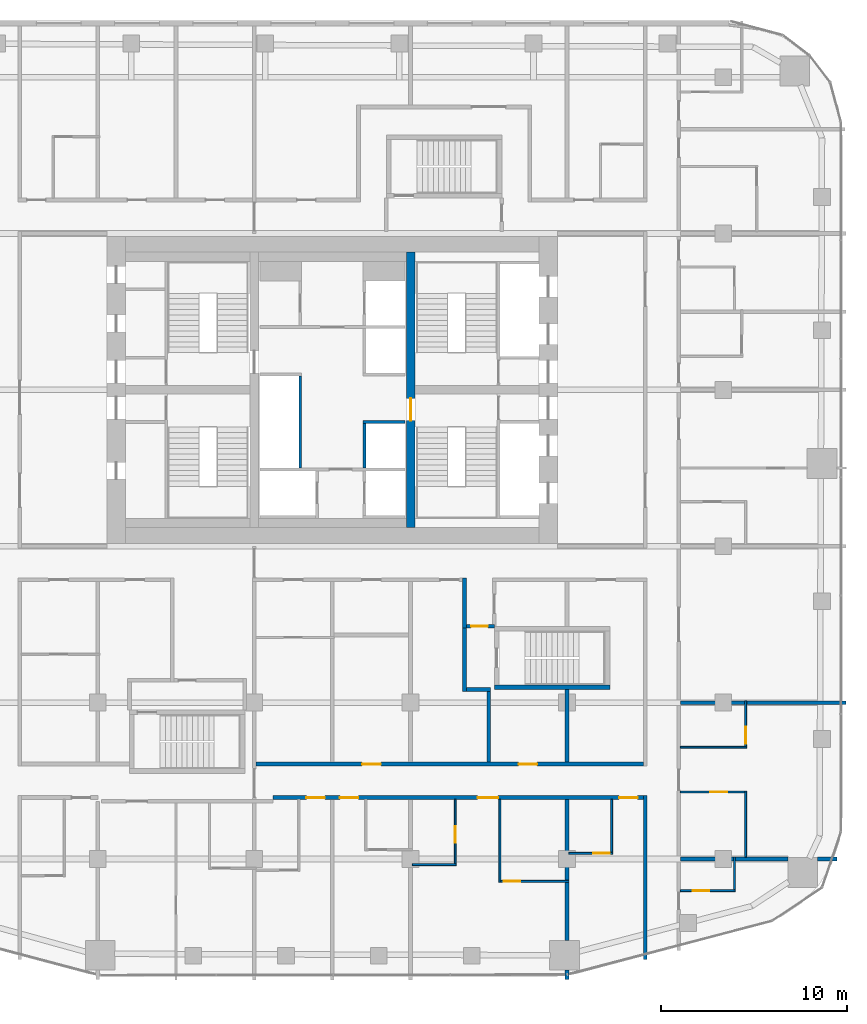
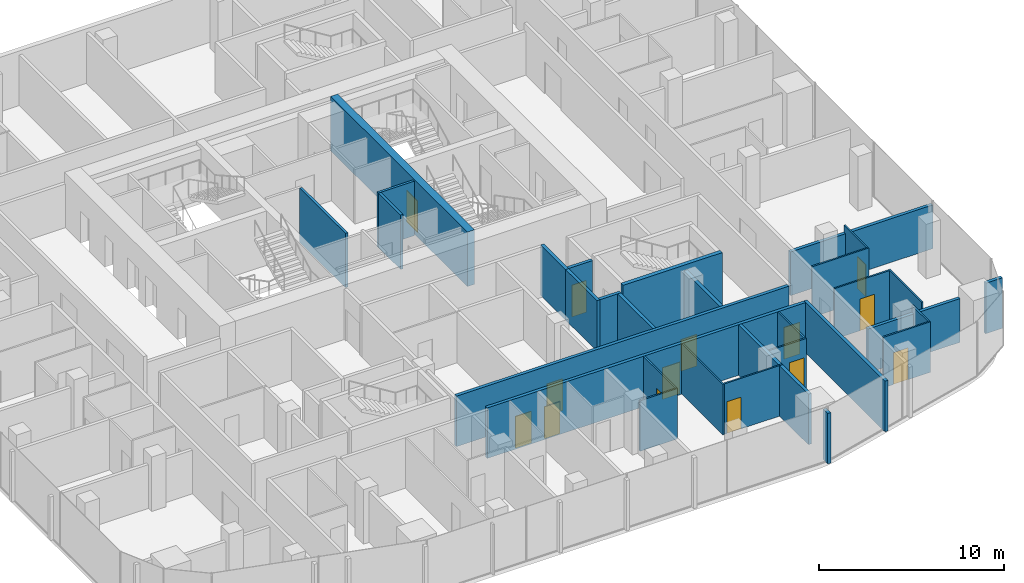
# One storey, part 16 of 23: 31 walls, 14 doors, 14 openings.
"""IFC4 building model written with IfcOpenShell, lengths in metres."""

import ifcopenshell
import ifcopenshell.guid

model = None  # the IFC model being written
_history = None  # IfcOwnerHistory: only IFC2X3 demands one
_inside = {}  # id of a spatial element -> (the spatial element, [elements in it])
_under = {}  # id of a project, library or spatial element -> (it, [spatial elements below it])
_declared = {}  # id of a project -> (the project, [libraries it declares])
_typed = {}  # id of a type object -> (the type object, [elements of that type])
_made_of = {}  # id of a material, layer set ... -> (it, [elements and type objects made of it])


def new_model(schema):
    """Start an empty IFC model of exactly this schema.

    Asked for "IFC4X3", IfcOpenShell would pick the latest addendum, in which some entities
    have other attributes; the version numbers below select the first issue.
    IFC2X3 requires an IfcOwnerHistory on every rooted entity: one is made here for all.
    """
    global model, _history
    if schema == "IFC4X3":
        model = ifcopenshell.file(schema_version=(4, 3, 0, 0))
    else:
        model = ifcopenshell.file(schema=schema)
    _inside.clear()
    _under.clear()
    _declared.clear()
    _typed.clear()
    _made_of.clear()
    _history = None
    if model.schema == "IFC2X3":
        org = make("IfcOrganization", Name="unknown")
        user = make(
            "IfcPersonAndOrganization",
            ThePerson=make("IfcPerson", FamilyName="unknown"),
            TheOrganization=org,
        )
        app = make(
            "IfcApplication",
            ApplicationDeveloper=org,
            Version="unknown",
            ApplicationFullName="unknown",
            ApplicationIdentifier="unknown",
        )
        _history = make(
            "IfcOwnerHistory",
            OwningUser=user,
            OwningApplication=app,
            ChangeAction="ADDED",
            CreationDate=0,
        )
    return model


def make(cls, **values):
    """One entity of the class cls with the attributes given. An attribute that is None is left unset."""
    return model.create_entity(
        cls, **{name: value for name, value in values.items() if value is not None}
    )


def rooted(cls, **values):
    """An entity with a GlobalId (a new one), such as an element, a storey or a relation."""
    return make(cls, GlobalId=ifcopenshell.guid.new(), OwnerHistory=_history, **values)


def si_unit(unit_type, name, prefix=None):
    """IfcSIUnit, for example si_unit("LENGTHUNIT", "METRE", prefix="MILLI")."""
    return make("IfcSIUnit", UnitType=unit_type, Prefix=prefix, Name=name)


def assignment(units):
    """IfcUnitAssignment: the units of a project."""
    return None if units is None else make("IfcUnitAssignment", Units=units)


def point(xyz):
    """IfcCartesianPoint."""
    return None if xyz is None else make("IfcCartesianPoint", Coordinates=xyz)


def direction(xyz):
    """IfcDirection."""
    return None if xyz is None else make("IfcDirection", DirectionRatios=xyz)


def frame(location, z_axis=None, x_axis=None):
    """IfcAxis2Placement3D, a coordinate frame: its origin and axes. An axis left out is left unset."""
    return make(
        "IfcAxis2Placement3D",
        Location=point(location),
        Axis=direction(z_axis),
        RefDirection=direction(x_axis),
    )


def frame_2d(location, x_axis=None):
    """IfcAxis2Placement2D, a coordinate frame in the plane: its origin and x axis."""
    return make(
        "IfcAxis2Placement2D", Location=point(location), RefDirection=direction(x_axis)
    )


def origin():
    """The frame at (0, 0, 0) with its axes left unset."""
    return frame((0.0, 0.0, 0.0))


def place(relative_to, where):
    """IfcLocalPlacement: puts the frame where relative to a parent placement (None: the world)."""
    return make(
        "IfcLocalPlacement", PlacementRelTo=relative_to, RelativePlacement=where
    )


def context(
    kind, dimensions, precision=None, world=None, true_north=None, identifier=None
):
    """IfcGeometricRepresentationContext, for example the 3D "Model" context."""
    return make(
        "IfcGeometricRepresentationContext",
        ContextIdentifier=identifier,
        ContextType=kind,
        CoordinateSpaceDimension=dimensions,
        Precision=precision,
        WorldCoordinateSystem=world,
        TrueNorth=true_north,
    )


def subcontext(parent, identifier, kind, view, scale=None):
    """IfcGeometricRepresentationSubContext, for example "Body" below "Model"."""
    return make(
        "IfcGeometricRepresentationSubContext",
        ContextIdentifier=identifier,
        ContextType=kind,
        ParentContext=parent,
        TargetScale=scale,
        TargetView=view,
    )


def project(units=None, contexts=None):
    """IfcProject with its units and contexts."""
    return rooted(
        "IfcProject",
        Name="project",
        RepresentationContexts=contexts,
        UnitsInContext=assignment(units),
    )


def spatial(cls, under=None, at=None, **own):
    """A site, building, storey or space (cls), placed at a placement, below another one or the project."""
    s = rooted(cls, ObjectPlacement=at, **own)
    if under is not None:
        _under.setdefault(under.id(), (under, []))[1].append(s)
    return s


def profile(cls, at=None, kind="AREA", **sizes):
    """A parametric profile (cls). Its sizes go by their IFC names, for example OverallWidth=200.0."""
    return make(cls, ProfileType=kind, Position=at, **sizes)


def rectangle(**sizes):
    """IfcRectangleProfileDef."""
    return profile("IfcRectangleProfileDef", **sizes)


def extrude(swept, where, along, depth):
    """IfcExtrudedAreaSolid: the profile swept, set in the frame where, extruded along a direction by depth."""
    return make(
        "IfcExtrudedAreaSolid",
        SweptArea=swept,
        Position=where,
        ExtrudedDirection=direction(along),
        Depth=depth,
    )


def shape(context_of_items, identifier, shape_type, items):
    """IfcShapeRepresentation: the items that make up one representation, for example the "Body"."""
    return make(
        "IfcShapeRepresentation",
        ContextOfItems=context_of_items,
        RepresentationIdentifier=identifier,
        RepresentationType=shape_type,
        Items=items,
    )


def material(Name=None, Category=None):
    """IfcMaterial."""
    return make("IfcMaterial", Name=Name, Category=Category)


def layer(
    of_material, thickness, ventilated=None, Name=None, Category=None, Priority=None
):
    """IfcMaterialLayer: one layer of a wall or slab, of a material (None: an air gap)."""
    return make(
        "IfcMaterialLayer",
        Material=of_material,
        LayerThickness=thickness,
        IsVentilated=ventilated,
        Name=Name,
        Category=Category,
        Priority=Priority,
    )


def layer_set(layers, Name=None):
    """IfcMaterialLayerSet."""
    return make("IfcMaterialLayerSet", MaterialLayers=layers, LayerSetName=Name)


def made_of(thing, what):
    """Note that an element or type object is made of a material, layer set ...; save() writes the relation."""
    if what is not None:
        _made_of.setdefault(what.id(), (what, []))[1].append(thing)
    return thing


def type_object(cls, material=None, **own):
    """A type object (cls), such as IfcWallType, which elements share."""
    return made_of(rooted(cls, **own), material)


def element(
    cls,
    number,
    at=None,
    inside=None,
    cuts=None,
    type_object=None,
    material=None,
    context=None,
    identifier="Body",
    shape_type=None,
    held_by="IfcProductDefinitionShape",
    body=None,
    shapes=None,
    **own,
):
    """One element of the class cls, such as IfcWall. Its Tag is "e" and its number.

    at: its placement. inside: the storey or other place that contains it. cuts: it is an
    opening in that element (IfcRelVoidsElement). A single representation is given by context,
    identifier, shape_type and body (its items); several are given by shapes. held_by: the class
    of the entity that holds the representations. save() writes the other relations.
    """
    e = rooted(cls, Tag="e%d" % number, ObjectPlacement=at, **own)
    if body is not None:
        shapes = [shape(context, identifier, shape_type, body)]
    if shapes is not None:
        e.Representation = make(held_by, Representations=shapes)
    if inside is not None:
        _inside.setdefault(inside.id(), (inside, []))[1].append(e)
    if cuts is not None:
        rooted(
            "IfcRelVoidsElement", RelatingBuildingElement=cuts, RelatedOpeningElement=e
        )
    if type_object is not None:
        _typed.setdefault(type_object.id(), (type_object, []))[1].append(e)
    return made_of(e, material)


def fill(opening, filler):
    """IfcRelFillsElement: the door or window that sits in an opening."""
    return rooted(
        "IfcRelFillsElement",
        RelatingOpeningElement=opening,
        RelatedBuildingElement=filler,
    )


def aggregate(whole, parts):
    """IfcRelAggregates: a whole, such as a stair, and the parts it consists of."""
    return rooted("IfcRelAggregates", RelatingObject=whole, RelatedObjects=parts)


def save(model, path):
    """Write the relations noted so far, then the file.

    IfcRelAggregates (storeys below a building ...), IfcRelContainedInSpatialStructure (elements
    in a storey), IfcRelDefinesByType, IfcRelAssociatesMaterial and IfcRelDeclares: one each for
    every whole, place, type object, material and project.
    """
    for whole, parts in _under.values():
        aggregate(whole, parts)
    for where, things in _inside.values():
        rooted(
            "IfcRelContainedInSpatialStructure",
            RelatedElements=things,
            RelatingStructure=where,
        )
    for kind, things in _typed.values():
        rooted("IfcRelDefinesByType", RelatedObjects=things, RelatingType=kind)
    for what, things in _made_of.values():
        rooted("IfcRelAssociatesMaterial", RelatedObjects=things, RelatingMaterial=what)
    for by, libraries in _declared.values():
        rooted("IfcRelDeclares", RelatingContext=by, RelatedDefinitions=libraries)
    model.write(path)


model = new_model("IFC4")

# Units and contexts
model_context = context("Model", 3, precision=1e-05, world=origin(), true_north=direction((0.0, 1.0)))
body_context = subcontext(model_context, "Body", "Model", "MODEL_VIEW")
ifc_project = project(units=[si_unit("LENGTHUNIT", "METRE"), si_unit("AREAUNIT", "SQUARE_METRE"), si_unit("VOLUMEUNIT", "CUBIC_METRE"), si_unit("PLANEANGLEUNIT", "RADIAN"), si_unit("MASSUNIT", "GRAM", prefix="KILO")], contexts=[model_context])

# Site, building, storey
site_placement = place(None, origin())
site = spatial("IfcSite", under=ifc_project, at=site_placement, CompositionType="ELEMENT")
building_placement = place(site_placement, origin())
building = spatial("IfcBuilding", under=site, at=building_placement, Name="Marenta Gate Hotel Tower", CompositionType="ELEMENT")
storey_placement = place(building_placement, frame((0.0, 0.0, 162.5)))
storey = spatial("IfcBuildingStorey", under=building, at=storey_placement, Name="L38", CompositionType="ELEMENT", Elevation=162.5)

# Walls
ifc_material_1 = material(Name="Concrete C40", Category="concrete")
ifc_layer_1 = layer(ifc_material_1, 0.14990234375)
ifc_layer_set_1 = layer_set([ifc_layer_1], Name="Concrete C40")
wall_type_1 = type_object("IfcWallType", Name="Core shaft wall 150 REI 180", PredefinedType="SHEAR", material=ifc_layer_set_1)
wall_1_placement = place(storey_placement, frame((-1.72509765625, 4.199951171875, 0.0), z_axis=(0.0, 0.0, 1.0), x_axis=(0.0, 1.0, 0.0)))
element("IfcWall", 1, at=wall_1_placement, inside=storey, type_object=wall_type_1, Name="L38-SHF-CW-W-front", PredefinedType="SHEAR", context=body_context, shape_type="SweptSolid", body=[
    extrude(rectangle(XDim=4.949951171875, YDim=0.14990234375, at=frame_2d((2.47509765625, 0.0))), origin(), (0.0, 0.0, 1.0), 3.60009765625),
])
wall_2_placement = place(storey_placement, frame((1.64990234375, 6.675048828125, 0.0), z_axis=(0.0, 0.0, 1.0), x_axis=(1.0, 0.0, 0.0)))
element("IfcWall", 2, at=wall_2_placement, inside=storey, type_object=wall_type_1, Name="L38-SHF-CE-sep1", PredefinedType="SHEAR", context=body_context, shape_type="SweptSolid", body=[
    extrude(rectangle(XDim=2.25, YDim=0.14990234375, at=frame_2d((1.125, 0.0))), origin(), (0.0, 0.0, 1.0), 3.60009765625),
])
wall_3_placement = place(storey_placement, frame((1.72509765625, 4.199951171875, 0.0), z_axis=(0.0, 0.0, 1.0), x_axis=(0.0, 1.0, 0.0)))
element("IfcWall", 3, at=wall_3_placement, inside=storey, type_object=wall_type_1, Name="L38-SHF-CE-front-1", PredefinedType="SHEAR", context=body_context, shape_type="SweptSolid", body=[
    extrude(rectangle(XDim=2.400146484375, YDim=0.14990234375, at=frame_2d((1.2001953125, 0.0))), origin(), (0.0, 0.0, 1.0), 3.60009765625),
])

# Wall, opening, door
ifc_material_2 = material(Name="Concrete C70", Category="concrete")
ifc_layer_2 = layer(ifc_material_2, 0.449951171875)
ifc_layer_set_2 = layer_set([ifc_layer_2], Name="Concrete C70")
wall_type_2 = type_object("IfcWallType", Name="Core web 450 C70", PredefinedType="SHEAR", material=ifc_layer_set_2)
wall_4_placement = place(storey_placement, frame((4.199951171875, 1.0, 0.0), z_axis=(0.0, 0.0, 1.0), x_axis=(0.0, 1.0, 0.0)))
wall_4 = element("IfcWall", 4, at=wall_4_placement, inside=storey, type_object=wall_type_2, Name="L38-CORE-W2", PredefinedType="SHEAR", context=body_context, shape_type="SweptSolid", body=[
    extrude(rectangle(XDim=14.800048828125, YDim=0.449951171875, at=frame_2d((7.39990234375, 0.0))), origin(), (0.0, 0.0, 1.0), 3.60009765625),
])
opening_1_placement = place(wall_4_placement, frame((5.75, 0.0, 0.0)))
opening_1 = element("IfcOpeningElement", 5, at=opening_1_placement, cuts=wall_4, Name="Opening WD-E", PredefinedType="OPENING", context=body_context, shape_type="SweptSolid", body=[
    extrude(rectangle(XDim=1.199951171875, YDim=2.10009765625, at=frame_2d((0.60009765625, 1.050048828125))), frame((0.0, 0.22509765625, 0.0), z_axis=(0.0, -1.0, 0.0), x_axis=(1.0, 0.0, 0.0)), (0.0, 0.0, 1.0), 0.449951171875),
])
ifc_material_3 = material(Name="Steel", Category="steel")
door_type_1 = type_object("IfcDoorType", Name="Core stair door 1200x2100 FD60", OperationType="SINGLE_SWING_LEFT", PredefinedType="DOOR", material=ifc_material_3)
door_1_placement = place(opening_1_placement, origin())
door_1 = element("IfcDoor", 6, at=door_1_placement, inside=storey, type_object=door_type_1, Name="WD-E", OperationType="SINGLE_SWING_LEFT", OverallHeight=2.10009765625, OverallWidth=1.199951171875, PredefinedType="DOOR", context=body_context, shape_type="SweptSolid", body=[
    extrude(rectangle(XDim=1.199951171875, YDim=2.10009765625, at=frame_2d((0.60009765625, 1.050048828125))), frame((0.0, 0.02490234375, 0.0), z_axis=(0.0, -1.0, 0.0), x_axis=(1.0, 0.0, 0.0)), (0.0, 0.0, 1.0), 0.050048828125),
])
fill(opening_1, door_1)

# Wall
ifc_material_4 = material(Name="Concrete C40", Category="concrete")
ifc_layer_3 = layer(ifc_material_4, 0.25)
ifc_layer_set_3 = layer_set([ifc_layer_3], Name="Concrete C40")
wall_type_3 = type_object("IfcWallType", Name="Remote stair enclosure wall 250 REI 180", PredefinedType="SHEAR", material=ifc_layer_set_3)
wall_5_placement = place(storey_placement, frame((8.699951171875, -7.574951171875, 0.10009765625), z_axis=(0.0, 0.0, 1.0), x_axis=(1.0, 0.0, 0.0)))
element("IfcWall", 7, at=wall_5_placement, inside=storey, type_object=wall_type_3, Name="L38-RS-Z2-2-W1", PredefinedType="SHEAR", context=body_context, shape_type="SweptSolid", body=[
    extrude(rectangle(XDim=6.199951171875, YDim=0.25, at=frame_2d((3.10009765625, 0.0))), origin(), (0.0, 0.0, 1.0), 3.599853515625),
])

# Wall, openings, doors
ifc_material_5 = material(Name="Concrete blockwork", Category="masonry")
ifc_layer_4 = layer(ifc_material_5, 0.199951171875)
ifc_layer_set_4 = layer_set([ifc_layer_4], Name="Concrete blockwork")
wall_type_4 = type_object("IfcWallType", Name="Room corridor wall 200 EI 120", PredefinedType="PARTITIONING", material=ifc_layer_set_4)
wall_6_placement = place(storey_placement, frame((-4.10009765625, -11.699951171875, 0.0), z_axis=(0.0, 0.0, 1.0), x_axis=(1.0, 0.0, 0.0)))
wall_6 = element("IfcWall", 8, at=wall_6_placement, inside=storey, type_object=wall_type_4, Name="L38-PTN-W034", PredefinedType="PARTITIONING", context=body_context, shape_type="SweptSolid", body=[
    extrude(rectangle(XDim=20.800048828125, YDim=0.199951171875, at=frame_2d((10.39990234375, 0.0))), origin(), (0.0, 0.0, 1.0), 3.340087890625),
])
opening_2_placement = place(wall_6_placement, frame((14.10009765625, 0.0, 0.0)))
opening_2 = element("IfcOpeningElement", 9, at=opening_2_placement, cuts=wall_6, Name="Opening G14-60", PredefinedType="OPENING", context=body_context, shape_type="SweptSolid", body=[
    extrude(rectangle(XDim=1.0, YDim=2.10009765625, at=frame_2d((0.5, 1.050048828125))), frame((0.0, 0.10009765625, 0.0), z_axis=(0.0, -1.0, 0.0), x_axis=(1.0, 0.0, 0.0)), (0.0, 0.0, 1.0), 0.199951171875),
])
opening_3_placement = place(wall_6_placement, frame((5.699951171875, 0.0, 0.0)))
opening_3 = element("IfcOpeningElement", 10, at=opening_3_placement, cuts=wall_6, Name="Opening G14-64", PredefinedType="OPENING", context=body_context, shape_type="SweptSolid", body=[
    extrude(rectangle(XDim=1.0, YDim=2.10009765625, at=frame_2d((0.5, 1.050048828125))), frame((0.0, 0.10009765625, 0.0), z_axis=(0.0, -1.0, 0.0), x_axis=(1.0, 0.0, 0.0)), (0.0, 0.0, 1.0), 0.199951171875),
])
ifc_material_6 = material(Name="Timber door leaf", Category="wood")
door_type_2 = type_object("IfcDoorType", Name="Room amenity door 1000x2100 EI 60", OperationType="NOTDEFINED", PredefinedType="DOOR", material=ifc_material_6)
door_2_placement = place(opening_2_placement, origin())
door_2 = element("IfcDoor", 11, at=door_2_placement, inside=storey, type_object=door_type_2, Name="L38-PD-D060", OperationType="SINGLE_SWING_RIGHT", OverallHeight=2.10009765625, OverallWidth=1.0, PredefinedType="DOOR", context=body_context, shape_type="SweptSolid", body=[
    extrude(rectangle(XDim=1.0, YDim=2.10009765625, at=frame_2d((0.5, 1.050048828125))), frame((0.0, 0.02490234375, 0.0), z_axis=(0.0, -1.0, 0.0), x_axis=(1.0, 0.0, 0.0)), (0.0, 0.0, 1.0), 0.050048828125),
])
fill(opening_2, door_2)
door_3_placement = place(opening_3_placement, origin())
door_3 = element("IfcDoor", 12, at=door_3_placement, inside=storey, type_object=door_type_2, Name="L38-PD-D064", OperationType="SINGLE_SWING_RIGHT", OverallHeight=2.10009765625, OverallWidth=1.0, PredefinedType="DOOR", context=body_context, shape_type="SweptSolid", body=[
    extrude(rectangle(XDim=1.0, YDim=2.10009765625, at=frame_2d((0.5, 1.050048828125))), frame((0.0, 0.02490234375, 0.0), z_axis=(0.0, -1.0, 0.0), x_axis=(1.0, 0.0, 0.0)), (0.0, 0.0, 1.0), 0.050048828125),
])
fill(opening_3, door_3)

# Wall
ifc_material_7 = material(Name="Gypsum board on steel stud", Category="steel")
ifc_layer_5 = layer(ifc_material_7, 0.199951171875)
ifc_layer_set_5 = layer_set([ifc_layer_5], Name="Gypsum board on steel stud")
wall_type_5 = type_object("IfcWallType", Name="Room corridor wall 200 EI 60", PredefinedType="PARTITIONING", material=ifc_layer_set_5)
wall_7_placement = place(storey_placement, frame((16.800048828125, -22.18603515625, 0.0), z_axis=(0.0, 0.0, 1.0), x_axis=(0.0, 1.0, 0.0)))
element("IfcWall", 13, at=wall_7_placement, inside=storey, type_object=wall_type_5, Name="L38-PTN-W016", PredefinedType="PARTITIONING", context=body_context, shape_type="SweptSolid", body=[
    extrude(rectangle(XDim=8.7861328125, YDim=0.199951171875, at=frame_2d((4.39306640625, 0.0))), origin(), (0.0, 0.0, 1.0), 3.340087890625),
])

# Wall, openings, doors
wall_8_placement = place(storey_placement, frame((-3.199951171875, -13.5, 0.0), z_axis=(0.0, 0.0, 1.0), x_axis=(1.0, 0.0, 0.0)))
wall_8 = element("IfcWall", 14, at=wall_8_placement, inside=storey, type_object=wall_type_5, Name="L38-PTN-W027", PredefinedType="PARTITIONING", context=body_context, shape_type="SweptSolid", body=[
    extrude(rectangle(XDim=19.89990234375, YDim=0.199951171875, at=frame_2d((9.949951171875, 0.0))), origin(), (0.0, 0.0, 1.0), 3.340087890625),
])
opening_4_placement = place(wall_8_placement, frame((1.800048828125, 0.0, 0.0)))
opening_4 = element("IfcOpeningElement", 15, at=opening_4_placement, cuts=wall_8, Name="Opening G14-35", PredefinedType="OPENING", context=body_context, shape_type="SweptSolid", body=[
    extrude(rectangle(XDim=1.0, YDim=2.10009765625, at=frame_2d((0.5, 1.050048828125))), frame((0.0, 0.10009765625, 0.0), z_axis=(0.0, -1.0, 0.0), x_axis=(1.0, 0.0, 0.0)), (0.0, 0.0, 1.0), 0.199951171875),
])
opening_5_placement = place(wall_8_placement, frame((3.60009765625, 0.0, 0.0)))
opening_5 = element("IfcOpeningElement", 16, at=opening_5_placement, cuts=wall_8, Name="Opening G14-37", PredefinedType="OPENING", context=body_context, shape_type="SweptSolid", body=[
    extrude(rectangle(XDim=1.0, YDim=2.10009765625, at=frame_2d((0.5, 1.050048828125))), frame((0.0, 0.10009765625, 0.0), z_axis=(0.0, -1.0, 0.0), x_axis=(1.0, 0.0, 0.0)), (0.0, 0.0, 1.0), 0.199951171875),
])
opening_6_placement = place(wall_8_placement, frame((11.0, 0.0, 0.0)))
opening_6 = element("IfcOpeningElement", 17, at=opening_6_placement, cuts=wall_8, Name="Opening G14-39", PredefinedType="OPENING", context=body_context, shape_type="SweptSolid", body=[
    extrude(rectangle(XDim=1.10009765625, YDim=2.10009765625, at=frame_2d((0.550048828125, 1.050048828125))), frame((0.0, 0.10009765625, 0.0), z_axis=(0.0, -1.0, 0.0), x_axis=(1.0, 0.0, 0.0)), (0.0, 0.0, 1.0), 0.199951171875),
])
opening_7_placement = place(wall_8_placement, frame((18.60009765625, 0.0, 0.0)))
opening_7 = element("IfcOpeningElement", 18, at=opening_7_placement, cuts=wall_8, Name="Opening G14-42", PredefinedType="OPENING", context=body_context, shape_type="SweptSolid", body=[
    extrude(rectangle(XDim=1.0, YDim=2.10009765625, at=frame_2d((0.5, 1.050048828125))), frame((0.0, 0.10009765625, 0.0), z_axis=(0.0, -1.0, 0.0), x_axis=(1.0, 0.0, 0.0)), (0.0, 0.0, 1.0), 0.199951171875),
])
ifc_material_8 = material(Name="Timber door leaf", Category="wood")
door_type_3 = type_object("IfcDoorType", Name="Guest room door 1000x2100 EI 30", OperationType="NOTDEFINED", PredefinedType="DOOR", material=ifc_material_8)
door_4_placement = place(opening_4_placement, origin())
door_4 = element("IfcDoor", 19, at=door_4_placement, inside=storey, type_object=door_type_3, Name="L38-PD-D035", OperationType="SINGLE_SWING_LEFT", OverallHeight=2.10009765625, OverallWidth=1.0, PredefinedType="DOOR", context=body_context, shape_type="SweptSolid", body=[
    extrude(rectangle(XDim=1.0, YDim=2.10009765625, at=frame_2d((0.5, 1.050048828125))), frame((0.0, 0.02490234375, 0.0), z_axis=(0.0, -1.0, 0.0), x_axis=(1.0, 0.0, 0.0)), (0.0, 0.0, 1.0), 0.050048828125),
])
fill(opening_4, door_4)
door_5_placement = place(opening_5_placement, origin())
door_5 = element("IfcDoor", 20, at=door_5_placement, inside=storey, type_object=door_type_3, Name="L38-PD-D037", OperationType="SINGLE_SWING_LEFT", OverallHeight=2.10009765625, OverallWidth=1.0, PredefinedType="DOOR", context=body_context, shape_type="SweptSolid", body=[
    extrude(rectangle(XDim=1.0, YDim=2.10009765625, at=frame_2d((0.5, 1.050048828125))), frame((0.0, 0.02490234375, 0.0), z_axis=(0.0, -1.0, 0.0), x_axis=(1.0, 0.0, 0.0)), (0.0, 0.0, 1.0), 0.050048828125),
])
fill(opening_5, door_5)
door_6_placement = place(opening_7_placement, origin())
door_6 = element("IfcDoor", 21, at=door_6_placement, inside=storey, type_object=door_type_3, Name="L38-PD-D042", OperationType="SINGLE_SWING_LEFT", OverallHeight=2.10009765625, OverallWidth=1.0, PredefinedType="DOOR", context=body_context, shape_type="SweptSolid", body=[
    extrude(rectangle(XDim=1.0, YDim=2.10009765625, at=frame_2d((0.5, 1.050048828125))), frame((0.0, 0.02490234375, 0.0), z_axis=(0.0, -1.0, 0.0), x_axis=(1.0, 0.0, 0.0)), (0.0, 0.0, 1.0), 0.050048828125),
])
fill(opening_7, door_6)
ifc_material_9 = material(Name="Timber door leaf", Category="wood")
door_type_4 = type_object("IfcDoorType", Name="Guest room door 1100x2100 EI 30", OperationType="NOTDEFINED", PredefinedType="DOOR", material=ifc_material_9)
door_7_placement = place(opening_6_placement, origin())
door_7 = element("IfcDoor", 22, at=door_7_placement, inside=storey, type_object=door_type_4, Name="L38-PD-D039", OperationType="SINGLE_SWING_LEFT", OverallHeight=2.10009765625, OverallWidth=1.10009765625, PredefinedType="DOOR", context=body_context, shape_type="SweptSolid", body=[
    extrude(rectangle(XDim=1.10009765625, YDim=2.10009765625, at=frame_2d((0.550048828125, 1.050048828125))), frame((0.0, 0.02490234375, 0.0), z_axis=(0.0, -1.0, 0.0), x_axis=(1.0, 0.0, 0.0)), (0.0, 0.0, 1.0), 0.050048828125),
])
fill(opening_6, door_7)

# Wall
wall_9_placement = place(storey_placement, frame((7.10009765625, -4.39990234375, 0.0), z_axis=(0.0, 0.0, 1.0), x_axis=(0.0, 1.0, 0.0)))
element("IfcWall", 23, at=wall_9_placement, inside=storey, type_object=wall_type_5, Name="L38-PTN-W047", PredefinedType="PARTITIONING", context=body_context, shape_type="SweptSolid", body=[
    extrude(rectangle(XDim=2.699951171875, YDim=0.199951171875, at=frame_2d((1.35009765625, 0.0))), origin(), (0.0, 0.0, 1.0), 3.340087890625),
])

# Wall, opening, door
ifc_material_10 = material(Name="Concrete blockwork", Category="masonry")
ifc_layer_6 = layer(ifc_material_10, 0.199951171875)
ifc_layer_set_6 = layer_set([ifc_layer_6], Name="Concrete blockwork")
wall_type_6 = type_object("IfcWallType", Name="Room corridor wall 200 REI 180", PredefinedType="PARTITIONING", material=ifc_layer_set_6)
wall_10_placement = place(storey_placement, frame((7.199951171875, -4.300048828125, 0.0), z_axis=(0.0, 0.0, 1.0), x_axis=(1.0, 0.0, 0.0)))
wall_10 = element("IfcWall", 24, at=wall_10_placement, inside=storey, type_object=wall_type_6, Name="L38-PTN-W053", PredefinedType="PARTITIONING", context=body_context, shape_type="SweptSolid", body=[
    extrude(rectangle(XDim=1.5, YDim=0.199951171875, at=frame_2d((0.75, 0.0))), origin(), (0.0, 0.0, 1.0), 3.340087890625),
])
opening_8_placement = place(wall_10_placement, frame((0.25, 0.0, 0.0)))
opening_8 = element("IfcOpeningElement", 25, at=opening_8_placement, cuts=wall_10, Name="Opening G14-57", PredefinedType="OPENING", context=body_context, shape_type="SweptSolid", body=[
    extrude(rectangle(XDim=0.89990234375, YDim=2.10009765625, at=frame_2d((0.449951171875, 1.050048828125))), frame((0.0, 0.10009765625, 0.0), z_axis=(0.0, -1.0, 0.0), x_axis=(1.0, 0.0, 0.0)), (0.0, 0.0, 1.0), 0.199951171875),
])
ifc_material_11 = material(Name="Hollow steel door set", Category="steel")
door_type_5 = type_object("IfcDoorType", Name="Stair vestibule door 900x2100 EI 60", OperationType="NOTDEFINED", PredefinedType="DOOR", material=ifc_material_11)
door_8_placement = place(opening_8_placement, origin())
door_8 = element("IfcDoor", 26, at=door_8_placement, inside=storey, type_object=door_type_5, Name="L38-PD-D057", OperationType="SINGLE_SWING_LEFT", OverallHeight=2.10009765625, OverallWidth=0.89990234375, PredefinedType="DOOR", context=body_context, shape_type="SweptSolid", body=[
    extrude(rectangle(XDim=0.89990234375, YDim=2.10009765625, at=frame_2d((0.449951171875, 1.050048828125))), frame((0.0, 0.02490234375, 0.0), z_axis=(0.0, -1.0, 0.0), x_axis=(1.0, 0.0, 0.0)), (0.0, 0.0, 1.0), 0.050048828125),
])
fill(opening_8, door_8)

# Wall
ifc_material_12 = material(Name="Gypsum board on steel stud", Category="steel")
ifc_layer_7 = layer(ifc_material_12, 0.10009765625)
ifc_layer_set_7 = layer_set([ifc_layer_7], Name="Gypsum board on steel stud")
wall_type_7 = type_object("IfcWallType", Name="Room partition 100", PredefinedType="PARTITIONING", material=ifc_layer_set_7)
wall_11_placement = place(storey_placement, frame((22.199951171875, -16.699951171875, 0.0), z_axis=(0.0, 0.0, 1.0), x_axis=(0.0, 1.0, 0.0)))
element("IfcWall", 27, at=wall_11_placement, inside=storey, type_object=wall_type_7, Name="L38-PTN-W002", PredefinedType="PARTITIONING", context=body_context, shape_type="SweptSolid", body=[
    extrude(rectangle(XDim=3.550048828125, YDim=0.10009765625, at=frame_2d((1.77490234375, 0.0))), origin(), (0.0, 0.0, 1.0), 3.340087890625),
])

# Wall, opening, door
wall_12_placement = place(storey_placement, frame((22.199951171875, -10.75, 0.0), z_axis=(0.0, 0.0, 1.0), x_axis=(0.0, 1.0, 0.0)))
wall_12 = element("IfcWall", 28, at=wall_12_placement, inside=storey, type_object=wall_type_7, Name="L38-PTN-W003", PredefinedType="PARTITIONING", context=body_context, shape_type="SweptSolid", body=[
    extrude(rectangle(XDim=2.449951171875, YDim=0.10009765625, at=frame_2d((1.22509765625, 0.0))), origin(), (0.0, 0.0, 1.0), 3.340087890625),
])
opening_9_placement = place(wall_12_placement, frame((0.14990234375, 0.0, 0.0)))
opening_9 = element("IfcOpeningElement", 29, at=opening_9_placement, cuts=wall_12, Name="Opening G14-12", PredefinedType="OPENING", context=body_context, shape_type="SweptSolid", body=[
    extrude(rectangle(XDim=0.89990234375, YDim=2.10009765625, at=frame_2d((0.449951171875, 1.050048828125))), frame((0.0, 0.050048828125, 0.0), z_axis=(0.0, -1.0, 0.0), x_axis=(1.0, 0.0, 0.0)), (0.0, 0.0, 1.0), 0.10009765625),
])
ifc_material_13 = material(Name="Timber door leaf", Category="wood")
door_type_6 = type_object("IfcDoorType", Name="Room inner door 900x2100", OperationType="NOTDEFINED", PredefinedType="DOOR", material=ifc_material_13)
door_9_placement = place(opening_9_placement, origin())
door_9 = element("IfcDoor", 30, at=door_9_placement, inside=storey, type_object=door_type_6, Name="L38-PD-D012", OperationType="SINGLE_SWING_LEFT", OverallHeight=2.10009765625, OverallWidth=0.89990234375, PredefinedType="DOOR", context=body_context, shape_type="SweptSolid", body=[
    extrude(rectangle(XDim=0.89990234375, YDim=2.10009765625, at=frame_2d((0.449951171875, 1.050048828125))), frame((0.0, 0.02490234375, 0.0), z_axis=(0.0, -1.0, 0.0), x_axis=(1.0, 0.0, 0.0)), (0.0, 0.0, 1.0), 0.050048828125),
])
fill(opening_9, door_9)

# Wall
wall_13_placement = place(storey_placement, frame((21.60009765625, -18.449951171875, 0.0), z_axis=(0.0, 0.0, 1.0), x_axis=(0.0, 1.0, 0.0)))
element("IfcWall", 31, at=wall_13_placement, inside=storey, type_object=wall_type_7, Name="L38-PTN-W007", PredefinedType="PARTITIONING", context=body_context, shape_type="SweptSolid", body=[
    extrude(rectangle(XDim=1.75, YDim=0.10009765625, at=frame_2d((0.875, 0.0))), origin(), (0.0, 0.0, 1.0), 3.340087890625),
])

# Wall, opening, door
wall_14_placement = place(storey_placement, frame((18.699951171875, -18.5, 0.0), z_axis=(0.0, 0.0, 1.0), x_axis=(1.0, 0.0, 0.0)))
wall_14 = element("IfcWall", 32, at=wall_14_placement, inside=storey, type_object=wall_type_7, Name="L38-PTN-W010", PredefinedType="PARTITIONING", context=body_context, shape_type="SweptSolid", body=[
    extrude(rectangle(XDim=2.949951171875, YDim=0.10009765625, at=frame_2d((1.47509765625, 0.0))), origin(), (0.0, 0.0, 1.0), 3.340087890625),
])
opening_10_placement = place(wall_14_placement, frame((0.64990234375, 0.0, 0.0)))
opening_10 = element("IfcOpeningElement", 33, at=opening_10_placement, cuts=wall_14, Name="Opening G14-09", PredefinedType="OPENING", context=body_context, shape_type="SweptSolid", body=[
    extrude(rectangle(XDim=0.89990234375, YDim=2.10009765625, at=frame_2d((0.449951171875, 1.050048828125))), frame((0.0, 0.050048828125, 0.0), z_axis=(0.0, -1.0, 0.0), x_axis=(1.0, 0.0, 0.0)), (0.0, 0.0, 1.0), 0.10009765625),
])
ifc_material_14 = material(Name="Timber door leaf", Category="wood")
door_type_7 = type_object("IfcDoorType", Name="Guest bathroom door 900x2100", OperationType="NOTDEFINED", PredefinedType="DOOR", material=ifc_material_14)
door_10_placement = place(opening_10_placement, origin())
door_10 = element("IfcDoor", 34, at=door_10_placement, inside=storey, type_object=door_type_7, Name="L38-PD-D009", OperationType="SINGLE_SWING_LEFT", OverallHeight=2.10009765625, OverallWidth=0.89990234375, PredefinedType="DOOR", context=body_context, shape_type="SweptSolid", body=[
    extrude(rectangle(XDim=0.89990234375, YDim=2.10009765625, at=frame_2d((0.449951171875, 1.050048828125))), frame((0.0, 0.02490234375, 0.0), z_axis=(0.0, -1.0, 0.0), x_axis=(1.0, 0.0, 0.0)), (0.0, 0.0, 1.0), 0.050048828125),
])
fill(opening_10, door_10)

wall_15_placement = place(storey_placement, frame((9.050048828125, -18.0, 0.0), z_axis=(0.0, 0.0, 1.0), x_axis=(1.0, 0.0, 0.0)))
wall_15 = element("IfcWall", 35, at=wall_15_placement, inside=storey, type_object=wall_type_7, Name="L38-PTN-W011", PredefinedType="PARTITIONING", context=body_context, shape_type="SweptSolid", body=[
    extrude(rectangle(XDim=3.64990234375, YDim=0.10009765625, at=frame_2d((1.824951171875, 0.0))), origin(), (0.0, 0.0, 1.0), 3.340087890625),
])
opening_11_placement = place(wall_15_placement, frame((0.14990234375, 0.0, 0.0)))
opening_11 = element("IfcOpeningElement", 36, at=opening_11_placement, cuts=wall_15, Name="Opening G14-40", PredefinedType="OPENING", context=body_context, shape_type="SweptSolid", body=[
    extrude(rectangle(XDim=0.89990234375, YDim=2.10009765625, at=frame_2d((0.449951171875, 1.050048828125))), frame((0.0, 0.050048828125, 0.0), z_axis=(0.0, -1.0, 0.0), x_axis=(1.0, 0.0, 0.0)), (0.0, 0.0, 1.0), 0.10009765625),
])
door_11_placement = place(opening_11_placement, origin())
door_11 = element("IfcDoor", 37, at=door_11_placement, inside=storey, type_object=door_type_7, Name="L38-PD-D040", OperationType="SINGLE_SWING_LEFT", OverallHeight=2.10009765625, OverallWidth=0.89990234375, PredefinedType="DOOR", context=body_context, shape_type="SweptSolid", body=[
    extrude(rectangle(XDim=0.89990234375, YDim=2.10009765625, at=frame_2d((0.449951171875, 1.050048828125))), frame((0.0, 0.02490234375, 0.0), z_axis=(0.0, -1.0, 0.0), x_axis=(1.0, 0.0, 0.0)), (0.0, 0.0, 1.0), 0.050048828125),
])
fill(opening_11, door_11)

# Wall
wall_16_placement = place(storey_placement, frame((4.300048828125, -17.10009765625, 0.0), z_axis=(0.0, 0.0, 1.0), x_axis=(1.0, 0.0, 0.0)))
element("IfcWall", 38, at=wall_16_placement, inside=storey, type_object=wall_type_7, Name="L38-PTN-W015", PredefinedType="PARTITIONING", context=body_context, shape_type="SweptSolid", body=[
    extrude(rectangle(XDim=2.349853515625, YDim=0.10009765625, at=frame_2d((1.1748046875, 0.0))), origin(), (0.0, 0.0, 1.0), 3.340087890625),
])

# Wall, opening, door
wall_17_placement = place(storey_placement, frame((12.699951171875, -16.5, 0.0), z_axis=(0.0, 0.0, 1.0), x_axis=(1.0, 0.0, 0.0)))
wall_17 = element("IfcWall", 39, at=wall_17_placement, inside=storey, type_object=wall_type_7, Name="L38-PTN-W021", PredefinedType="PARTITIONING", context=body_context, shape_type="SweptSolid", body=[
    extrude(rectangle(XDim=2.35009765625, YDim=0.10009765625, at=frame_2d((1.175048828125, 0.0))), origin(), (0.0, 0.0, 1.0), 3.340087890625),
])
opening_12_placement = place(wall_17_placement, frame((1.300048828125, 0.0, 0.0)))
opening_12 = element("IfcOpeningElement", 40, at=opening_12_placement, cuts=wall_17, Name="Opening G14-43", PredefinedType="OPENING", context=body_context, shape_type="SweptSolid", body=[
    extrude(rectangle(XDim=0.89990234375, YDim=2.10009765625, at=frame_2d((0.449951171875, 1.050048828125))), frame((0.0, 0.050048828125, 0.0), z_axis=(0.0, -1.0, 0.0), x_axis=(1.0, 0.0, 0.0)), (0.0, 0.0, 1.0), 0.10009765625),
])
door_12_placement = place(opening_12_placement, origin())
door_12 = element("IfcDoor", 41, at=door_12_placement, inside=storey, type_object=door_type_7, Name="L38-PD-D043", OperationType="SINGLE_SWING_RIGHT", OverallHeight=2.10009765625, OverallWidth=0.89990234375, PredefinedType="DOOR", context=body_context, shape_type="SweptSolid", body=[
    extrude(rectangle(XDim=0.89990234375, YDim=2.10009765625, at=frame_2d((0.449951171875, 1.050048828125))), frame((0.0, 0.02490234375, 0.0), z_axis=(0.0, -1.0, 0.0), x_axis=(1.0, 0.0, 0.0)), (0.0, 0.0, 1.0), 0.050048828125),
])
fill(opening_12, door_12)

# Wall
wall_18_placement = place(storey_placement, frame((15.0, -16.449951171875, 0.0), z_axis=(0.0, 0.0, 1.0), x_axis=(0.0, 1.0, 0.0)))
element("IfcWall", 42, at=wall_18_placement, inside=storey, type_object=wall_type_7, Name="L38-PTN-W023", PredefinedType="PARTITIONING", context=body_context, shape_type="SweptSolid", body=[
    extrude(rectangle(XDim=2.849853515625, YDim=0.10009765625, at=frame_2d((1.4248046875, 0.0))), origin(), (0.0, 0.0, 1.0), 3.340087890625),
])

# Wall, opening, door
wall_19_placement = place(storey_placement, frame((18.699951171875, -13.199951171875, 0.0), z_axis=(0.0, 0.0, 1.0), x_axis=(1.0, 0.0, 0.0)))
wall_19 = element("IfcWall", 43, at=wall_19_placement, inside=storey, type_object=wall_type_7, Name="L38-PTN-W028", PredefinedType="PARTITIONING", context=body_context, shape_type="SweptSolid", body=[
    extrude(rectangle(XDim=3.449951171875, YDim=0.10009765625, at=frame_2d((1.72509765625, 0.0))), origin(), (0.0, 0.0, 1.0), 3.340087890625),
])
opening_13_placement = place(wall_19_placement, frame((1.610107421875, 0.0, 0.0)))
opening_13 = element("IfcOpeningElement", 44, at=opening_13_placement, cuts=wall_19, Name="Opening G14-11", PredefinedType="OPENING", context=body_context, shape_type="SweptSolid", body=[
    extrude(rectangle(XDim=0.89990234375, YDim=2.10009765625, at=frame_2d((0.449951171875, 1.050048828125))), frame((0.0, 0.050048828125, 0.0), z_axis=(0.0, -1.0, 0.0), x_axis=(1.0, 0.0, 0.0)), (0.0, 0.0, 1.0), 0.10009765625),
])
door_13_placement = place(opening_13_placement, origin())
door_13 = element("IfcDoor", 45, at=door_13_placement, inside=storey, type_object=door_type_7, Name="L38-PD-D011", OperationType="SINGLE_SWING_LEFT", OverallHeight=2.10009765625, OverallWidth=0.89990234375, PredefinedType="DOOR", context=body_context, shape_type="SweptSolid", body=[
    extrude(rectangle(XDim=0.89990234375, YDim=2.10009765625, at=frame_2d((0.449951171875, 1.050048828125))), frame((0.0, 0.02490234375, 0.0), z_axis=(0.0, -1.0, 0.0), x_axis=(1.0, 0.0, 0.0)), (0.0, 0.0, 1.0), 0.050048828125),
])
fill(opening_13, door_13)

# Walls
wall_20_placement = place(storey_placement, frame((18.699951171875, -10.800048828125, 0.0), z_axis=(0.0, 0.0, 1.0), x_axis=(1.0, 0.0, 0.0)))
element("IfcWall", 46, at=wall_20_placement, inside=storey, type_object=wall_type_7, Name="L38-PTN-W035", PredefinedType="PARTITIONING", context=body_context, shape_type="SweptSolid", body=[
    extrude(rectangle(XDim=3.550048828125, YDim=0.10009765625, at=frame_2d((1.77490234375, 0.0))), origin(), (0.0, 0.0, 1.0), 3.340087890625),
])
wall_21_placement = place(storey_placement, frame((9.0, -18.050048828125, 0.0), z_axis=(0.0, 0.0, 1.0), x_axis=(0.0, 1.0, 0.0)))
element("IfcWall", 47, at=wall_21_placement, inside=storey, type_object=wall_type_7, Name="L38-PTN-W038", PredefinedType="PARTITIONING", context=body_context, shape_type="SweptSolid", body=[
    extrude(rectangle(XDim=4.449951171875, YDim=0.10009765625, at=frame_2d((2.22509765625, 0.0))), origin(), (0.0, 0.0, 1.0), 3.340087890625),
])

# Wall, opening, door
wall_22_placement = place(storey_placement, frame((6.60009765625, -17.050048828125, 0.0), z_axis=(0.0, 0.0, 1.0), x_axis=(0.0, 1.0, 0.0)))
wall_22 = element("IfcWall", 48, at=wall_22_placement, inside=storey, type_object=wall_type_7, Name="L38-PTN-W048", PredefinedType="PARTITIONING", context=body_context, shape_type="SweptSolid", body=[
    extrude(rectangle(XDim=3.449951171875, YDim=0.10009765625, at=frame_2d((1.72509765625, 0.0))), origin(), (0.0, 0.0, 1.0), 3.340087890625),
])
opening_14_placement = place(wall_22_placement, frame((1.1201171875, 0.0, 0.0)))
opening_14 = element("IfcOpeningElement", 49, at=opening_14_placement, cuts=wall_22, Name="Opening G14-41", PredefinedType="OPENING", context=body_context, shape_type="SweptSolid", body=[
    extrude(rectangle(XDim=0.89990234375, YDim=2.10009765625, at=frame_2d((0.449951171875, 1.050048828125))), frame((0.0, 0.050048828125, 0.0), z_axis=(0.0, -1.0, 0.0), x_axis=(1.0, 0.0, 0.0)), (0.0, 0.0, 1.0), 0.10009765625),
])
door_14_placement = place(opening_14_placement, origin())
door_14 = element("IfcDoor", 50, at=door_14_placement, inside=storey, type_object=door_type_6, Name="L38-PD-D041", OperationType="SINGLE_SWING_LEFT", OverallHeight=2.10009765625, OverallWidth=0.89990234375, PredefinedType="DOOR", context=body_context, shape_type="SweptSolid", body=[
    extrude(rectangle(XDim=0.89990234375, YDim=2.10009765625, at=frame_2d((0.449951171875, 1.050048828125))), frame((0.0, 0.02490234375, 0.0), z_axis=(0.0, -1.0, 0.0), x_axis=(1.0, 0.0, 0.0)), (0.0, 0.0, 1.0), 0.050048828125),
])
fill(opening_14, door_14)

# Walls
ifc_material_15 = material(Name="Gypsum board on steel stud", Category="steel")
ifc_layer_8 = layer(ifc_material_15, 0.199951171875)
ifc_layer_set_8 = layer_set([ifc_layer_8], Name="Gypsum board on steel stud")
wall_type_8 = type_object("IfcWallType", Name="Room party wall 200 EI 60", PredefinedType="PARTITIONING", material=ifc_layer_set_8)
wall_23_placement = place(storey_placement, frame((18.699951171875, -16.800048828125, 0.0), z_axis=(0.0, 0.0, 1.0), x_axis=(1.0, 0.0, 0.0)))
element("IfcWall", 51, at=wall_23_placement, inside=storey, type_object=wall_type_8, Name="L38-PTN-W020", PredefinedType="PARTITIONING", context=body_context, shape_type="SweptSolid", body=[
    extrude(rectangle(XDim=5.762939453125, YDim=0.199951171875, at=frame_2d((2.88134765625, 0.0))), origin(), (0.0, 0.0, 1.0), 2.889892578125),
])
wall_24_placement = place(storey_placement, frame((26.06298828125, -16.800048828125, 0.0), z_axis=(0.0, 0.0, 1.0), x_axis=(1.0, 0.0, 0.0)))
element("IfcWall", 52, at=wall_24_placement, inside=storey, type_object=wall_type_8, Name="L38-PTN-W119", PredefinedType="PARTITIONING", context=body_context, shape_type="SweptSolid", body=[
    extrude(rectangle(XDim=1.049072265625, YDim=0.199951171875, at=frame_2d((0.5244140625, 0.0))), origin(), (0.0, 0.0, 1.0), 3.340087890625),
])
wall_25_placement = place(storey_placement, frame((12.60009765625, -23.26611328125, 0.0), z_axis=(0.0, 0.0, 1.0), x_axis=(0.0, 1.0, 0.0)))
element("IfcWall", 53, at=wall_25_placement, inside=storey, type_object=wall_type_8, Name="L38-PTN-W029", PredefinedType="PARTITIONING", context=body_context, shape_type="SweptSolid", body=[
    extrude(rectangle(XDim=0.4912109375, YDim=0.199951171875, at=frame_2d((0.24560546875, 0.0))), origin(), (0.0, 0.0, 1.0), 3.340087890625),
])
wall_26_placement = place(storey_placement, frame((12.60009765625, -21.175048828125, 0.0), z_axis=(0.0, 0.0, 1.0), x_axis=(0.0, 1.0, 0.0)))
element("IfcWall", 54, at=wall_26_placement, inside=storey, type_object=wall_type_8, Name="L38-PTN-W120", PredefinedType="PARTITIONING", context=body_context, shape_type="SweptSolid", body=[
    extrude(rectangle(XDim=7.574951171875, YDim=0.199951171875, at=frame_2d((3.78759765625, 0.0))), origin(), (0.0, 0.0, 1.0), 3.340087890625),
])
wall_27_placement = place(storey_placement, frame((12.60009765625, -11.60009765625, 0.0), z_axis=(0.0, 0.0, 1.0), x_axis=(0.0, 1.0, 0.0)))
element("IfcWall", 55, at=wall_27_placement, inside=storey, type_object=wall_type_8, Name="L38-PTN-W030", PredefinedType="PARTITIONING", context=body_context, shape_type="SweptSolid", body=[
    extrude(rectangle(XDim=3.900146484375, YDim=0.199951171875, at=frame_2d((1.9501953125, 0.0))), origin(), (0.0, 0.0, 1.0), 3.340087890625),
])
wall_28_placement = place(storey_placement, frame((8.39990234375, -11.60009765625, 0.0), z_axis=(0.0, 0.0, 1.0), x_axis=(0.0, 1.0, 0.0)))
element("IfcWall", 56, at=wall_28_placement, inside=storey, type_object=wall_type_8, Name="L38-PTN-W040", PredefinedType="PARTITIONING", context=body_context, shape_type="SweptSolid", body=[
    extrude(rectangle(XDim=3.800048828125, YDim=0.199951171875, at=frame_2d((1.89990234375, 0.0))), origin(), (0.0, 0.0, 1.0), 3.340087890625),
])
wall_29_placement = place(storey_placement, frame((18.699951171875, -8.39990234375, 0.0), z_axis=(0.0, 0.0, 1.0), x_axis=(1.0, 0.0, 0.0)))
element("IfcWall", 57, at=wall_29_placement, inside=storey, type_object=wall_type_8, Name="L38-PTN-W042", PredefinedType="PARTITIONING", context=body_context, shape_type="SweptSolid", body=[
    extrude(rectangle(XDim=8.900146484375, YDim=0.199951171875, at=frame_2d((4.4501953125, 0.0))), origin(), (0.0, 0.0, 1.0), 2.889892578125),
])
ifc_material_16 = material(Name="Concrete blockwork", Category="masonry")
ifc_layer_9 = layer(ifc_material_16, 0.199951171875)
ifc_layer_set_9 = layer_set([ifc_layer_9], Name="Concrete blockwork")
wall_type_9 = type_object("IfcWallType", Name="Room party wall 200 REI 180", PredefinedType="PARTITIONING", material=ifc_layer_set_9)
wall_30_placement = place(storey_placement, frame((7.199951171875, -7.699951171875, 0.0), z_axis=(0.0, 0.0, 1.0), x_axis=(1.0, 0.0, 0.0)))
element("IfcWall", 58, at=wall_30_placement, inside=storey, type_object=wall_type_9, Name="L38-PTN-W043", PredefinedType="PARTITIONING", context=body_context, shape_type="SweptSolid", body=[
    extrude(rectangle(XDim=1.300048828125, YDim=0.199951171875, at=frame_2d((0.64990234375, 0.0))), origin(), (0.0, 0.0, 1.0), 3.340087890625),
])
wall_31_placement = place(storey_placement, frame((7.10009765625, -7.800048828125, 0.0), z_axis=(0.0, 0.0, 1.0), x_axis=(0.0, 1.0, 0.0)))
element("IfcWall", 59, at=wall_31_placement, inside=storey, type_object=wall_type_9, Name="L38-PTN-W046", PredefinedType="PARTITIONING", context=body_context, shape_type="SweptSolid", body=[
    extrude(rectangle(XDim=3.400146484375, YDim=0.199951171875, at=frame_2d((1.7001953125, 0.0))), origin(), (0.0, 0.0, 1.0), 3.340087890625),
])

save(model, "model.ifc")
